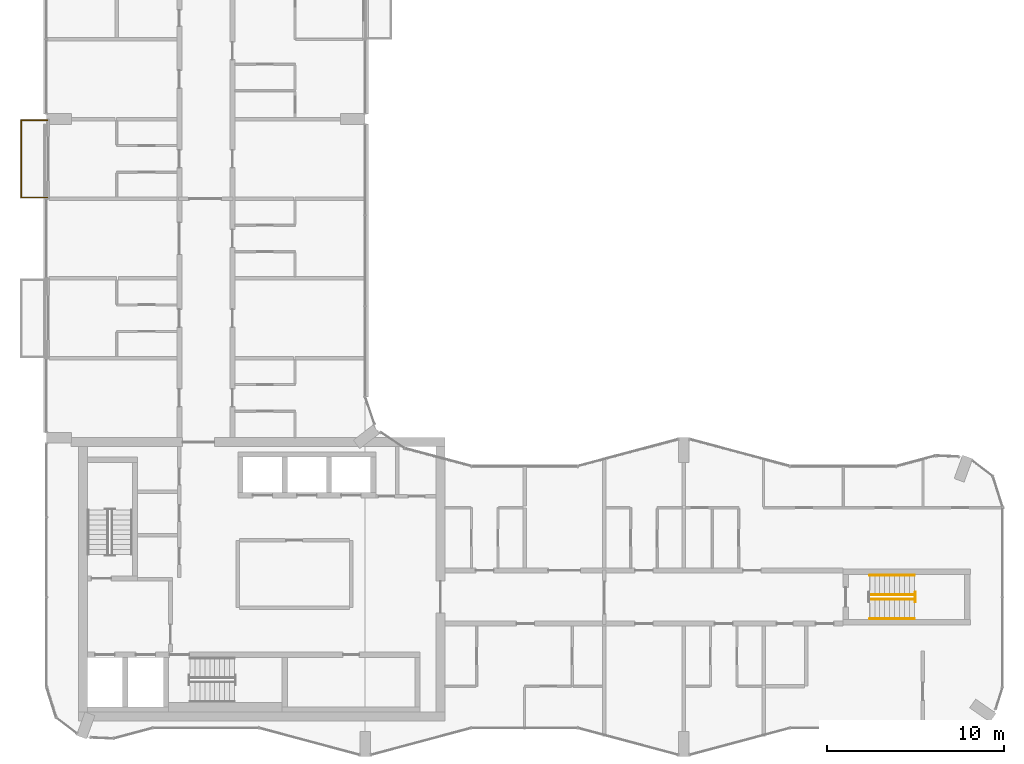
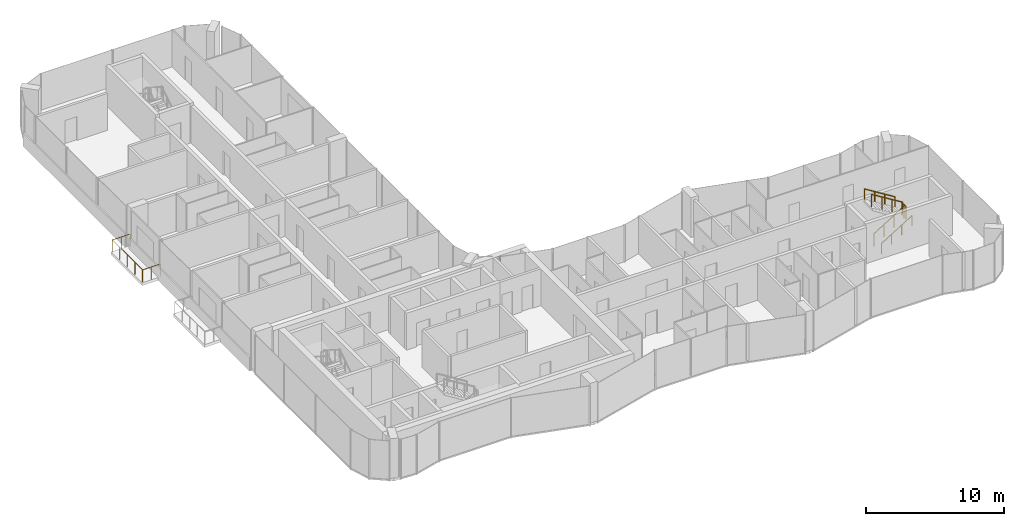
# One storey, part 15 of 16: 6 railings.
"""IFC4 building model written with IfcOpenShell, lengths in metres."""

from ifc_helpers import new_model, si_unit, direction, frame, origin, origin_2d, place, context, subcontext, project, spatial, circle, extrude, material, type_object, element, save


model = new_model("IFC4")

# Units and contexts
model_context = context("Model", 3, precision=1e-05, world=origin(), true_north=direction((0.0, 1.0)))
body_context = subcontext(model_context, "Body", "Model", "MODEL_VIEW")
ifc_project = project(units=[si_unit("LENGTHUNIT", "METRE"), si_unit("AREAUNIT", "SQUARE_METRE"), si_unit("VOLUMEUNIT", "CUBIC_METRE"), si_unit("PLANEANGLEUNIT", "RADIAN"), si_unit("MASSUNIT", "GRAM", prefix="KILO")], contexts=[model_context])

# Site, building, storey
site_placement = place(None, origin())
site = spatial("IfcSite", under=ifc_project, at=site_placement, CompositionType="ELEMENT")
building_placement = place(site_placement, origin())
building = spatial("IfcBuilding", under=site, at=building_placement, Name="Plateau Cross Towers", CompositionType="ELEMENT")
storey_placement = place(building_placement, frame((0.0, 0.0, 215.39990234375)))
storey = spatial("IfcBuildingStorey", under=building, at=storey_placement, Name="L56", CompositionType="ELEMENT", Elevation=215.39990234375)

# Railings
ifc_material_1 = material(Name="Stainless steel and toughened glass", Category="steel")
railing_type_1 = type_object("IfcRailingType", Name="Glass balustrade guard 1100", PredefinedType="GUARDRAIL", material=ifc_material_1)
railing_1_placement = place(storey_placement, frame((0.050048828125, 31.570068359375, 0.0)))
element("IfcRailing", 1, at=railing_1_placement, inside=storey, type_object=railing_type_1, Name="Guard guard1", PredefinedType="GUARDRAIL", context=body_context, shape_type="SweptSolid", body=[
    extrude(circle(Radius=0.02392578125, at=origin_2d()), frame((0.0, 0.0, 1.076171875), z_axis=(-1.0, 0.0, 0.0), x_axis=(0.0, -1.0, 0.0)), (0.0, 0.0, 1.0), 1.47998046875),
    extrude(circle(Radius=0.02392578125, at=origin_2d()), frame((-1.47998046875, 0.0, 1.076171875), z_axis=(0.0, 1.0, 0.0), x_axis=(-1.0, 0.0, 0.0)), (0.0, 0.0, 1.0), 4.35986328125),
    extrude(circle(Radius=0.02392578125, at=origin_2d()), frame((-1.47998046875, 4.35986328125, 1.076171875), z_axis=(1.0, 0.0, 0.0), x_axis=(0.0, 1.0, 0.0)), (0.0, 0.0, 1.0), 1.47998046875),
    extrude(circle(Radius=0.02099609375, at=origin_2d()), origin(), (0.0, 0.0, 1.0), 1.052001953125),
    extrude(circle(Radius=0.02099609375, at=origin_2d()), frame((-0.739990234375, 0.0, 0.0)), (0.0, 0.0, 1.0), 1.052001953125),
    extrude(circle(Radius=0.02099609375, at=origin_2d()), frame((-1.47998046875, 0.0, 0.0)), (0.0, 0.0, 1.0), 1.052001953125),
    extrude(circle(Radius=0.02099609375, at=origin_2d()), frame((-1.47998046875, 1.08984375, 0.0)), (0.0, 0.0, 1.0), 1.052001953125),
    extrude(circle(Radius=0.02099609375, at=origin_2d()), frame((-1.47998046875, 2.179931640625, 0.0)), (0.0, 0.0, 1.0), 1.052001953125),
    extrude(circle(Radius=0.02099609375, at=origin_2d()), frame((-1.47998046875, 3.27001953125, 0.0)), (0.0, 0.0, 1.0), 1.052001953125),
    extrude(circle(Radius=0.02099609375, at=origin_2d()), frame((-1.47998046875, 4.35986328125, 0.0)), (0.0, 0.0, 1.0), 1.052001953125),
    extrude(circle(Radius=0.02099609375, at=origin_2d()), frame((-0.739990234375, 4.35986328125, 0.0)), (0.0, 0.0, 1.0), 1.052001953125),
    extrude(circle(Radius=0.02099609375, at=origin_2d()), frame((0.0, 4.35986328125, 0.0)), (0.0, 0.0, 1.0), 1.052001953125),
])
railing_type_2 = type_object("IfcRailingType", Name="RL-GUARD-1100", PredefinedType="GUARDRAIL", material=ifc_material_1)
railing_2_placement = place(storey_placement, frame((46.5, 8.875, 0.175048828125)))
element("IfcRailing", 2, at=railing_2_placement, inside=storey, type_object=railing_type_2, Name="L56 ES-E stair guard 1", PredefinedType="GUARDRAIL", context=body_context, shape_type="SweptSolid", body=[
    extrude(circle(Radius=0.02392578125, at=origin_2d()), frame((0.0, 0.0, 1.076171875), z_axis=(0.848007534815, 0.0, 0.529984170421), x_axis=(0.0, 1.0, 0.0)), (0.0, 0.0, 1.0), 2.9716796875),
    extrude(circle(Radius=0.02099609375, at=origin_2d()), origin(), (0.0, 0.0, 1.0), 1.052001953125),
    extrude(circle(Radius=0.02099609375, at=origin_2d()), frame((0.840087890625, 0.0, 0.52490234375)), (0.0, 0.0, 1.0), 1.052001953125),
    extrude(circle(Radius=0.02099609375, at=origin_2d()), frame((1.679931640625, 0.0, 1.050048828125)), (0.0, 0.0, 1.0), 1.052001953125),
    extrude(circle(Radius=0.02099609375, at=origin_2d()), frame((2.52001953125, 0.0, 1.574951171875)), (0.0, 0.0, 1.0), 1.052001953125),
])
railing_3_placement = place(storey_placement, frame((49.070068359375, 8.72509765625, 1.75)))
element("IfcRailing", 3, at=railing_3_placement, inside=storey, type_object=railing_type_2, Name="L56 ES-E stair guard 2", PredefinedType="GUARDRAIL", context=body_context, shape_type="SweptSolid", body=[
    extrude(circle(Radius=0.02392578125, at=origin_2d()), frame((0.0, 0.0, 1.076171875), z_axis=(0.0, 1.0, 0.0), x_axis=(-1.0, 0.0, 0.0)), (0.0, 0.0, 1.0), 0.5498046875),
    extrude(circle(Radius=0.02099609375, at=origin_2d()), origin(), (0.0, 0.0, 1.0), 1.052001953125),
    extrude(circle(Radius=0.02099609375, at=origin_2d()), frame((0.0, 0.5498046875, 0.0)), (0.0, 0.0, 1.0), 1.052001953125),
])
railing_4_placement = place(storey_placement, frame((49.02001953125, 9.125, 1.925048828125)))
element("IfcRailing", 4, at=railing_4_placement, inside=storey, type_object=railing_type_2, Name="L56 ES-E stair guard 3", PredefinedType="GUARDRAIL", context=body_context, shape_type="SweptSolid", body=[
    extrude(circle(Radius=0.02392578125, at=origin_2d()), frame((0.0, 0.0, 1.076171875), z_axis=(-0.852638500773, 0.0, 0.522501279423), x_axis=(0.0, -1.0, 0.0)), (0.0, 0.0, 1.0), 3.01416015625),
    extrude(circle(Radius=0.02099609375, at=origin_2d()), origin(), (0.0, 0.0, 1.0), 1.052001953125),
    extrude(circle(Radius=0.02099609375, at=origin_2d()), frame((-0.856689453125, 0.0, 0.52490234375)), (0.0, 0.0, 1.0), 1.052001953125),
    extrude(circle(Radius=0.02099609375, at=origin_2d()), frame((-1.71337890625, 0.0, 1.050048828125)), (0.0, 0.0, 1.0), 1.052001953125),
    extrude(circle(Radius=0.02099609375, at=origin_2d()), frame((-2.570068359375, 0.0, 1.574951171875)), (0.0, 0.0, 1.0), 1.052001953125),
])
ifc_material_2 = material(Name="Black anodised aluminium", Category="aluminium")
railing_type_3 = type_object("IfcRailingType", Name="RL-HANDRAIL-900", PredefinedType="HANDRAIL", material=ifc_material_2)
railing_5_placement = place(storey_placement, frame((46.5, 7.77490234375, 0.175048828125)))
element("IfcRailing", 5, at=railing_5_placement, inside=storey, type_object=railing_type_3, Name="L56 ES-E stair handrail 1", PredefinedType="HANDRAIL", context=body_context, shape_type="SweptSolid", body=[
    extrude(circle(Radius=0.02392578125, at=origin_2d()), frame((0.0, 0.0, 0.8759765625), z_axis=(0.848007534815, 0.0, 0.529984170421), x_axis=(0.0, 1.0, 0.0)), (0.0, 0.0, 1.0), 2.9716796875),
    extrude(circle(Radius=0.02099609375, at=origin_2d()), origin(), (0.0, 0.0, 1.0), 0.851806640625),
    extrude(circle(Radius=0.02099609375, at=origin_2d()), frame((0.840087890625, 0.0, 0.52490234375)), (0.0, 0.0, 1.0), 0.851806640625),
    extrude(circle(Radius=0.02099609375, at=origin_2d()), frame((1.679931640625, 0.0, 1.050048828125)), (0.0, 0.0, 1.0), 0.851806640625),
    extrude(circle(Radius=0.02099609375, at=origin_2d()), frame((2.52001953125, 0.0, 1.574951171875)), (0.0, 0.0, 1.0), 0.851806640625),
])
railing_6_placement = place(storey_placement, frame((49.02001953125, 10.22509765625, 1.925048828125)))
element("IfcRailing", 6, at=railing_6_placement, inside=storey, type_object=railing_type_3, Name="L56 ES-E stair handrail 2", PredefinedType="HANDRAIL", context=body_context, shape_type="SweptSolid", body=[
    extrude(circle(Radius=0.02392578125, at=origin_2d()), frame((0.0, 0.0, 0.8759765625), z_axis=(-0.848007534815, 0.0, 0.529984170421), x_axis=(0.0, -1.0, 0.0)), (0.0, 0.0, 1.0), 2.9716796875),
    extrude(circle(Radius=0.02099609375, at=origin_2d()), origin(), (0.0, 0.0, 1.0), 0.851806640625),
    extrude(circle(Radius=0.02099609375, at=origin_2d()), frame((-0.840087890625, 0.0, 0.52490234375)), (0.0, 0.0, 1.0), 0.851806640625),
    extrude(circle(Radius=0.02099609375, at=origin_2d()), frame((-1.679931640625, 0.0, 1.050048828125)), (0.0, 0.0, 1.0), 0.851806640625),
    extrude(circle(Radius=0.02099609375, at=origin_2d()), frame((-2.52001953125, 0.0, 1.574951171875)), (0.0, 0.0, 1.0), 0.851806640625),
])

save(model, "model.ifc")
